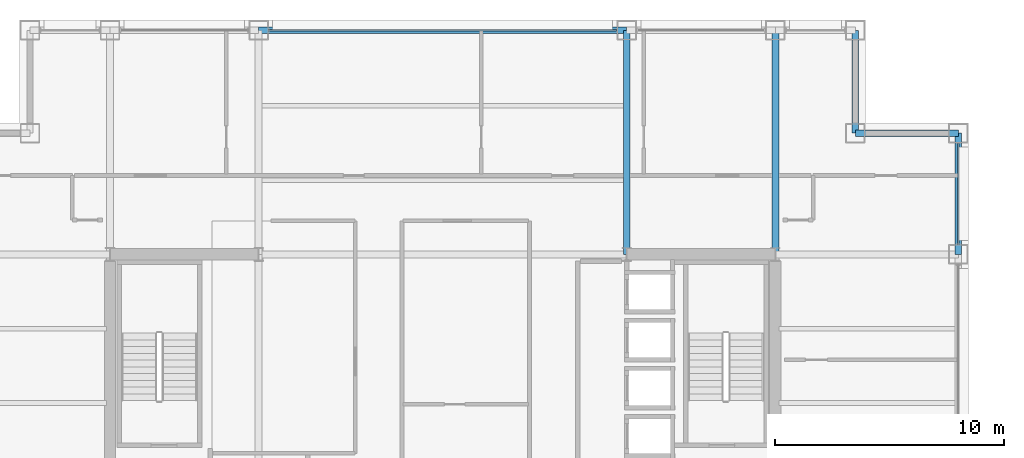
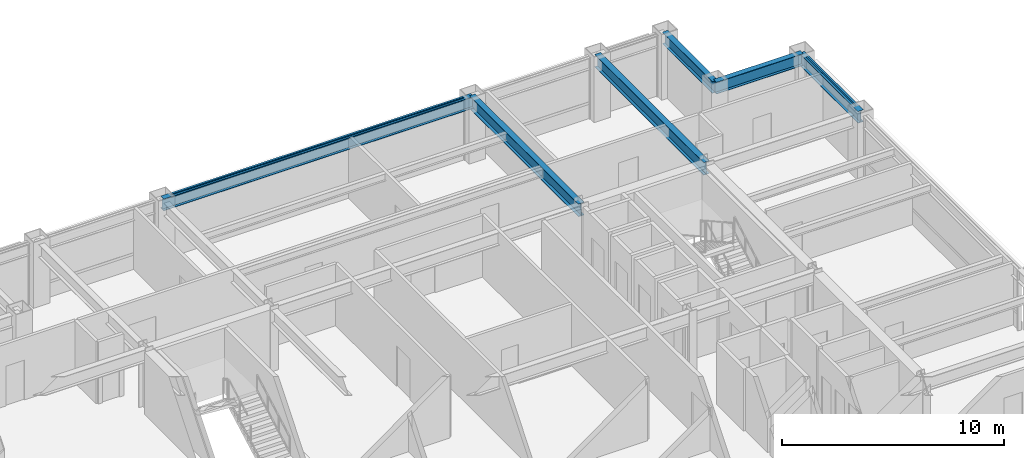
# One storey, part 22 of 31: 6 beams, 2 members, 2 elements without a shape of their own.
"""IFC4 building model written with IfcOpenShell, lengths in metres."""

from ifc_helpers import new_model, si_unit, direction, frame, origin, origin_2d, place, context, subcontext, project, spatial, hollow_rectangle, i_section, extrude, material, layer, layer_set, material_profile, profile_set, type_object, element, aggregate, save


model = new_model("IFC4")

# Units and contexts
model_context = context("Model", 3, precision=1e-05, world=origin(), true_north=direction((0.0, 1.0)))
body_context = subcontext(model_context, "Body", "Model", "MODEL_VIEW")
ifc_project = project(units=[si_unit("LENGTHUNIT", "METRE"), si_unit("AREAUNIT", "SQUARE_METRE"), si_unit("VOLUMEUNIT", "CUBIC_METRE"), si_unit("PLANEANGLEUNIT", "RADIAN"), si_unit("MASSUNIT", "GRAM", prefix="KILO")], contexts=[model_context])

# Site, building, storey
site_placement = place(None, origin())
site = spatial("IfcSite", under=ifc_project, at=site_placement, CompositionType="ELEMENT")
building_placement = place(site_placement, origin())
building = spatial("IfcBuilding", under=site, at=building_placement, Name="Brelmoor Portico Tower", CompositionType="ELEMENT")
storey_placement = place(building_placement, frame((0.0, 0.0, 106.199951171875)))
storey = spatial("IfcBuildingStorey", under=building, at=storey_placement, Name="L27", CompositionType="ELEMENT", Elevation=106.199951171875)

# Beams
ifc_material_1 = material(Name="Steel Q355B", Category="steel")
ifc_material_profile_1 = material_profile(ifc_material_1, i_section(OverallWidth=0.300048828125, OverallDepth=0.699951171875, WebThickness=0.012939453125, FlangeThickness=0.02392578125, at=origin_2d()), Name="HN 700x300x13x24")
ifc_profile_set_1 = profile_set([ifc_material_profile_1], Name="Steel Q355B")
beam_type_1 = type_object("IfcBeamType", Name="BM-PG-700", PredefinedType="BEAM", material=ifc_profile_set_1)
for number, where, z_axis, x_axis, name in (
    (1, (8.050048828125, 9.75, 3.050048828125), (0.0, 1.0, 0.0), (-1.0, 0.0, 0.0), "L27 Primary Floor Girder PG-09"),
    (2, (14.550048828125, 9.75, 3.050048828125), (0.0, 1.0, 0.0), (-1.0, 0.0, 0.0), "L27 Primary Floor Girder PG-13"),
):
    element("IfcBeam", number, at=place(storey_placement, frame(where, z_axis=z_axis, x_axis=x_axis)), inside=storey, type_object=beam_type_1, Name=name, PredefinedType="BEAM", context=body_context, shape_type="SweptSolid", body=[
        extrude(i_section(OverallWidth=0.300048828125, OverallDepth=0.699951171875, WebThickness=0.012939453125, FlangeThickness=0.02392578125, at=origin_2d()), origin(), (0.0, 0.0, 1.0), 9.800048828125),
    ])
ifc_material_profile_2 = material_profile(ifc_material_1, i_section(OverallWidth=0.280029296875, OverallDepth=0.64990234375, WebThickness=0.012939453125, FlangeThickness=0.02197265625, at=origin_2d()), Name="HN 650x280x13x22")
ifc_profile_set_2 = profile_set([ifc_material_profile_2], Name="Steel Q355B")
beam_type_2 = type_object("IfcBeamType", Name="BM-SP-650", PredefinedType="SPANDREL", material=ifc_profile_set_2)
beam_1_placement = place(storey_placement, frame((18.050048828125, 15.050048828125, 3.074951171875), z_axis=(1.0, 0.0, 0.0), x_axis=(0.0, 1.0, 0.0)))
element("IfcBeam", 3, at=beam_1_placement, inside=storey, type_object=beam_type_2, Name="L27 Perimeter Spandrel Beam SP-09", PredefinedType="SPANDREL", context=body_context, shape_type="SweptSolid", body=[
    extrude(i_section(OverallWidth=0.280029296875, OverallDepth=0.64990234375, WebThickness=0.012939453125, FlangeThickness=0.02197265625, at=origin_2d()), origin(), (0.0, 0.0, 1.0), 4.5),
])
beam_2_placement = place(storey_placement, frame((-8.050048828125, 19.550048828125, 3.074951171875), z_axis=(1.0, 0.0, 0.0), x_axis=(0.0, 1.0, 0.0)))
element("IfcBeam", 4, at=beam_2_placement, inside=storey, type_object=beam_type_2, Name="L27 Perimeter Spandrel Beam SP-12", PredefinedType="SPANDREL", context=body_context, shape_type="SweptSolid", body=[
    extrude(i_section(OverallWidth=0.280029296875, OverallDepth=0.64990234375, WebThickness=0.012939453125, FlangeThickness=0.02197265625, at=origin_2d()), origin(), (0.0, 0.0, 1.0), 16.10009765625),
])
beam_3_placement = place(storey_placement, frame((18.050048828125, 15.050048828125, 3.074951171875), z_axis=(0.0, 1.0, 0.0), x_axis=(-1.0, 0.0, 0.0)))
element("IfcBeam", 5, at=beam_3_placement, inside=storey, type_object=beam_type_2, Name="L27 Perimeter Spandrel Beam SP-21", PredefinedType="SPANDREL", context=body_context, shape_type="SweptSolid", body=[
    extrude(i_section(OverallWidth=0.280029296875, OverallDepth=0.64990234375, WebThickness=0.012939453125, FlangeThickness=0.02197265625, at=origin_2d()), origin(), (0.0, 0.0, 1.0), 4.5),
])
beam_4_placement = place(storey_placement, frame((22.550048828125, 9.75, 3.074951171875), z_axis=(0.0, 1.0, 0.0), x_axis=(-1.0, 0.0, 0.0)))
element("IfcBeam", 6, at=beam_4_placement, inside=storey, type_object=beam_type_2, Name="L27 Perimeter Spandrel Beam SP-24", PredefinedType="SPANDREL", context=body_context, shape_type="SweptSolid", body=[
    extrude(i_section(OverallWidth=0.280029296875, OverallDepth=0.64990234375, WebThickness=0.012939453125, FlangeThickness=0.02197265625, at=origin_2d()), origin(), (0.0, 0.0, 1.0), 5.300048828125),
])

# Curtain wall, member
ifc_material_2 = material(Name="Anodised Aluminium Alloy 6063-T6", Category="aluminium")
ifc_layer = layer(ifc_material_2, 0.179931640625)
ifc_layer_set = layer_set([ifc_layer], Name="Anodised Aluminium Alloy 6063-T6")
curtain_wall_type = type_object("IfcCurtainWallType", Name="CW-TOWER-Z2-XB", PredefinedType="NOTDEFINED", material=ifc_layer_set)
curtain_wall_1_placement = place(storey_placement, origin())
curtain_wall_1 = element("IfcCurtainWall", 7, at=curtain_wall_1_placement, inside=storey, type_object=curtain_wall_type, Name="L27 Curtain Wall CW-L27-02-3", PredefinedType="NOTDEFINED")
ifc_material_profile_3 = material_profile(ifc_material_2, hollow_rectangle(XDim=0.06494140625, YDim=0.139892578125, WallThickness=0.00390625, at=origin_2d()), Name="ALU TRANSOM 65x140")
ifc_profile_set_3 = profile_set([ifc_material_profile_3], Name="Anodised Aluminium Alloy 6063-T6")
member_type = type_object("IfcMemberType", Name="MB-CW-TRAN-140", PredefinedType="USERDEFINED", material=ifc_profile_set_3)
member_1_placement = place(storey_placement, frame((-7.614990234375, 19.550048828125, 3.330078125), z_axis=(1.0, 0.0, 0.0), x_axis=(0.0, 1.0, 0.0)))
member_1 = element("IfcMember", 8, at=member_1_placement, type_object=member_type, Name="CW-L27-02-3 Transom 1-00", ObjectType="TRANSOM", PredefinedType="USERDEFINED", context=body_context, shape_type="SweptSolid", body=[
    extrude(hollow_rectangle(XDim=0.06494140625, YDim=0.139892578125, WallThickness=0.00390625, at=origin_2d()), origin(), (0.0, 0.0, 1.0), 15.22998046875),
])
aggregate(curtain_wall_1, [member_1])

curtain_wall_2_placement = place(storey_placement, origin())
curtain_wall_2 = element("IfcCurtainWall", 9, at=curtain_wall_2_placement, inside=storey, type_object=curtain_wall_type, Name="L27 Curtain Wall CW-L27-4R-2", PredefinedType="NOTDEFINED")
member_2_placement = place(storey_placement, frame((22.550048828125, 10.18505859375, 3.330078125), z_axis=(0.0, 1.0, 0.0), x_axis=(-1.0, 0.0, 0.0)))
member_2 = element("IfcMember", 10, at=member_2_placement, type_object=member_type, Name="CW-L27-4R-2 Transom 1-00", ObjectType="TRANSOM", PredefinedType="USERDEFINED", context=body_context, shape_type="SweptSolid", body=[
    extrude(hollow_rectangle(XDim=0.06494140625, YDim=0.139892578125, WallThickness=0.00390625, at=origin_2d()), origin(), (0.0, 0.0, 1.0), 4.429931640625),
])
aggregate(curtain_wall_2, [member_2])

save(model, "model.ifc")
